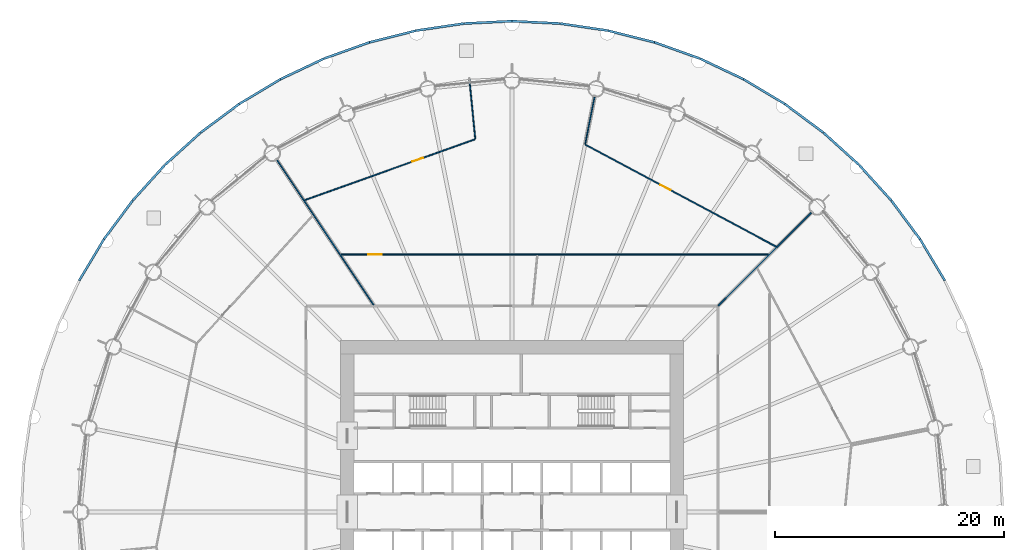
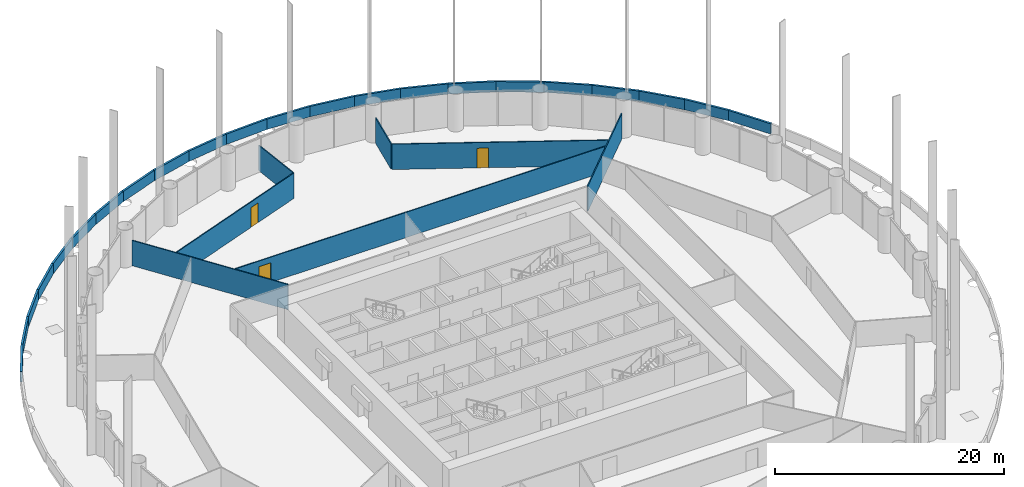
# One storey, part 14 of 17: 29 walls, 3 doors, 3 openings.
"""IFC4 building model written with IfcOpenShell, lengths in metres."""

from ifc_helpers import new_model, si_unit, direction, frame, frame_2d, origin, place, context, subcontext, project, spatial, rectangle, extrude, material, layer, layer_set, type_object, element, fill, save


model = new_model("IFC4")

# Units and contexts
model_context = context("Model", 3, precision=1e-05, world=origin(), true_north=direction((0.0, 1.0)))
body_context = subcontext(model_context, "Body", "Model", "MODEL_VIEW")
ifc_project = project(units=[si_unit("LENGTHUNIT", "METRE"), si_unit("AREAUNIT", "SQUARE_METRE"), si_unit("VOLUMEUNIT", "CUBIC_METRE"), si_unit("PLANEANGLEUNIT", "RADIAN"), si_unit("MASSUNIT", "GRAM", prefix="KILO")], contexts=[model_context])

# Site, building, storey
site_placement = place(None, origin())
site = spatial("IfcSite", under=ifc_project, at=site_placement, CompositionType="ELEMENT")
building_placement = place(site_placement, origin())
building = spatial("IfcBuilding", under=site, at=building_placement, Name="Corvane Civic Tower", CompositionType="ELEMENT")
storey_placement = place(building_placement, frame((0.0, 0.0, 37.0)))
storey = spatial("IfcBuildingStorey", under=building, at=storey_placement, Name="L07", CompositionType="ELEMENT", Elevation=37.0)

# Walls
ifc_material_1 = material(Name="Limestone cladding", Category="masonry")
ifc_layer_1 = layer(ifc_material_1, 0.199951171875)
ifc_layer_set_1 = layer_set([ifc_layer_1], Name="Limestone cladding")
wall_type_1 = type_object("IfcWallType", Name="PODIUM-W-PARAPET-200", PredefinedType="PARAPET", material=ifc_layer_set_1)
wall_1_placement = place(storey_placement, frame((-0.005126953125, 42.899658203125, 0.0), z_axis=(0.0, 0.0, 1.0), x_axis=(-0.998795734049, -0.049062018364, 0.0)))
element("IfcWall", 1, at=wall_1_placement, inside=storey, type_object=wall_type_1, Name="Drum roof parapet 01", PredefinedType="PARAPET", context=body_context, shape_type="SweptSolid", body=[
    extrude(rectangle(XDim=4.199951171875, YDim=0.199951171875, at=frame_2d((2.10009765625, 0.0))), origin(), (0.0, 0.0, 1.0), 1.10009765625),
])
wall_2_placement = place(storey_placement, frame((-4.210205078125, 42.692626953125, 0.0), z_axis=(0.0, 0.0, 1.0), x_axis=(-0.989177228519, -0.146725630276, 0.0)))
element("IfcWall", 2, at=wall_2_placement, inside=storey, type_object=wall_type_1, Name="Drum roof parapet 02", PredefinedType="PARAPET", context=body_context, shape_type="SweptSolid", body=[
    extrude(rectangle(XDim=4.19970703125, YDim=0.199951171875, at=frame_2d((2.099853515625, 0.0))), origin(), (0.0, 0.0, 1.0), 1.10009765625),
])
wall_3_placement = place(storey_placement, frame((-8.374267578125, 42.074462890625, 0.0), z_axis=(0.0, 0.0, 1.0), x_axis=(-0.970029552898, -0.242986967766, 0.0)))
element("IfcWall", 3, at=wall_3_placement, inside=storey, type_object=wall_type_1, Name="Drum roof parapet 03", PredefinedType="PARAPET", context=body_context, shape_type="SweptSolid", body=[
    extrude(rectangle(XDim=4.199951171875, YDim=0.199951171875, at=frame_2d((2.10009765625, 0.0))), origin(), (0.0, 0.0, 1.0), 1.10009765625),
])
wall_4_placement = place(storey_placement, frame((-12.4580078125, 41.05078125, 0.0), z_axis=(0.0, 0.0, 1.0), x_axis=(-0.94154446095, -0.336888747296, 0.0)))
element("IfcWall", 4, at=wall_4_placement, inside=storey, type_object=wall_type_1, Name="Drum roof parapet 04", PredefinedType="PARAPET", context=body_context, shape_type="SweptSolid", body=[
    extrude(rectangle(XDim=4.19970703125, YDim=0.199951171875, at=frame_2d((2.099853515625, 0.0))), origin(), (0.0, 0.0, 1.0), 1.10009765625),
])
wall_5_placement = place(storey_placement, frame((-16.421630859375, 39.632080078125, 0.0), z_axis=(0.0, 0.0, 1.0), x_axis=(-0.903990983369, -0.427551519689, 0.0)))
element("IfcWall", 5, at=wall_5_placement, inside=storey, type_object=wall_type_1, Name="Drum roof parapet 05", PredefinedType="PARAPET", context=body_context, shape_type="SweptSolid", body=[
    extrude(rectangle(XDim=4.199951171875, YDim=0.199951171875, at=frame_2d((2.10009765625, 0.0))), origin(), (0.0, 0.0, 1.0), 1.10009765625),
])
wall_6_placement = place(storey_placement, frame((-20.227294921875, 37.831787109375, 0.0), z_axis=(0.0, 0.0, 1.0), x_axis=(-0.857708288113, -0.514136647694, 0.0)))
element("IfcWall", 6, at=wall_6_placement, inside=storey, type_object=wall_type_1, Name="Drum roof parapet 06", PredefinedType="PARAPET", context=body_context, shape_type="SweptSolid", body=[
    extrude(rectangle(XDim=4.19970703125, YDim=0.199951171875, at=frame_2d((2.099853515625, 0.0))), origin(), (0.0, 0.0, 1.0), 1.10009765625),
])
for number, where, z_axis, x_axis, name in (
    (7, (-23.837890625, 35.6669921875, 0.0), (0.0, 0.0, 1.0), (-0.803190442318, -0.59572234587, 0.0), "Drum roof parapet 07"),
    (8, (-27.218994140625, 33.15869140625, 0.0), (0.0, 0.0, 1.0), (-0.740957123113, -0.671552337281, 0.0), "Drum roof parapet 08"),
    (9, (-30.338134765625, 30.3310546875, 0.0), (0.0, 0.0, 1.0), (-0.671552337281, -0.740957123113, 0.0), "Drum roof parapet 09"),
    (10, (-33.1650390625, 27.211181640625, 0.0), (0.0, 0.0, 1.0), (-0.59572234587, -0.803190442318, 0.0), "Drum roof parapet 10"),
):
    element("IfcWall", number, at=place(storey_placement, frame(where, z_axis=z_axis, x_axis=x_axis)), inside=storey, type_object=wall_type_1, Name=name, PredefinedType="PARAPET", context=body_context, shape_type="SweptSolid", body=[
        extrude(rectangle(XDim=4.199951171875, YDim=0.199951171875, at=frame_2d((2.10009765625, 0.0))), origin(), (0.0, 0.0, 1.0), 1.10009765625),
    ])
for number, where, z_axis, x_axis, name in (
    (11, (-35.672607421875, 23.829345703125, 0.0), (0.0, 0.0, 1.0), (-0.514136647694, -0.857708288113, 0.0), "Drum roof parapet 11"),
    (12, (37.831787109375, 20.227294921875, 0.0), (0.0, 0.0, 1.0), (-0.514136647694, 0.857708288113, 0.0), "Drum roof parapet 54"),
):
    element("IfcWall", number, at=place(storey_placement, frame(where, z_axis=z_axis, x_axis=x_axis)), inside=storey, type_object=wall_type_1, Name=name, PredefinedType="PARAPET", context=body_context, shape_type="SweptSolid", body=[
        extrude(rectangle(XDim=4.19970703125, YDim=0.199951171875, at=frame_2d((2.099853515625, 0.0))), origin(), (0.0, 0.0, 1.0), 1.10009765625),
    ])
for number, where, z_axis, x_axis, name in (
    (13, (35.6669921875, 23.837890625, 0.0), (0.0, 0.0, 1.0), (-0.59572234587, 0.803190442318, 0.0), "Drum roof parapet 55"),
    (14, (33.15869140625, 27.218994140625, 0.0), (0.0, 0.0, 1.0), (-0.671552337281, 0.740957123113, 0.0), "Drum roof parapet 56"),
    (15, (30.3310546875, 30.338134765625, 0.0), (0.0, 0.0, 1.0), (-0.740957123113, 0.671552337281, 0.0), "Drum roof parapet 57"),
    (16, (27.211181640625, 33.1650390625, 0.0), (0.0, 0.0, 1.0), (-0.803190442318, 0.59572234587, 0.0), "Drum roof parapet 58"),
):
    element("IfcWall", number, at=place(storey_placement, frame(where, z_axis=z_axis, x_axis=x_axis)), inside=storey, type_object=wall_type_1, Name=name, PredefinedType="PARAPET", context=body_context, shape_type="SweptSolid", body=[
        extrude(rectangle(XDim=4.199951171875, YDim=0.199951171875, at=frame_2d((2.10009765625, 0.0))), origin(), (0.0, 0.0, 1.0), 1.10009765625),
    ])
wall_7_placement = place(storey_placement, frame((23.829345703125, 35.672607421875, 0.0), z_axis=(0.0, 0.0, 1.0), x_axis=(-0.857708288113, 0.514136647694, 0.0)))
element("IfcWall", 17, at=wall_7_placement, inside=storey, type_object=wall_type_1, Name="Drum roof parapet 59", PredefinedType="PARAPET", context=body_context, shape_type="SweptSolid", body=[
    extrude(rectangle(XDim=4.19970703125, YDim=0.199951171875, at=frame_2d((2.099853515625, 0.0))), origin(), (0.0, 0.0, 1.0), 1.10009765625),
])
wall_8_placement = place(storey_placement, frame((20.21826171875, 37.83642578125, 0.0), z_axis=(0.0, 0.0, 1.0), x_axis=(-0.903990983369, 0.427551519689, 0.0)))
element("IfcWall", 18, at=wall_8_placement, inside=storey, type_object=wall_type_1, Name="Drum roof parapet 60", PredefinedType="PARAPET", context=body_context, shape_type="SweptSolid", body=[
    extrude(rectangle(XDim=4.199951171875, YDim=0.199951171875, at=frame_2d((2.10009765625, 0.0))), origin(), (0.0, 0.0, 1.0), 1.10009765625),
])
wall_9_placement = place(storey_placement, frame((16.412109375, 39.635986328125, 0.0), z_axis=(0.0, 0.0, 1.0), x_axis=(-0.94154446095, 0.336888747296, 0.0)))
element("IfcWall", 19, at=wall_9_placement, inside=storey, type_object=wall_type_1, Name="Drum roof parapet 61", PredefinedType="PARAPET", context=body_context, shape_type="SweptSolid", body=[
    extrude(rectangle(XDim=4.19970703125, YDim=0.199951171875, at=frame_2d((2.099853515625, 0.0))), origin(), (0.0, 0.0, 1.0), 1.10009765625),
])
wall_10_placement = place(storey_placement, frame((12.4482421875, 41.053955078125, 0.0), z_axis=(0.0, 0.0, 1.0), x_axis=(-0.970029552898, 0.242986967766, 0.0)))
element("IfcWall", 20, at=wall_10_placement, inside=storey, type_object=wall_type_1, Name="Drum roof parapet 62", PredefinedType="PARAPET", context=body_context, shape_type="SweptSolid", body=[
    extrude(rectangle(XDim=4.199951171875, YDim=0.199951171875, at=frame_2d((2.10009765625, 0.0))), origin(), (0.0, 0.0, 1.0), 1.10009765625),
])
wall_11_placement = place(storey_placement, frame((8.364501953125, 42.076416015625, 0.0), z_axis=(0.0, 0.0, 1.0), x_axis=(-0.989177228519, 0.146725630276, 0.0)))
element("IfcWall", 21, at=wall_11_placement, inside=storey, type_object=wall_type_1, Name="Drum roof parapet 63", PredefinedType="PARAPET", context=body_context, shape_type="SweptSolid", body=[
    extrude(rectangle(XDim=4.19970703125, YDim=0.199951171875, at=frame_2d((2.099853515625, 0.0))), origin(), (0.0, 0.0, 1.0), 1.10009765625),
])
wall_12_placement = place(storey_placement, frame((4.199951171875, 42.693603515625, 0.0), z_axis=(0.0, 0.0, 1.0), x_axis=(-0.998795734049, 0.049062018364, 0.0)))
element("IfcWall", 22, at=wall_12_placement, inside=storey, type_object=wall_type_1, Name="Drum roof parapet 64", PredefinedType="PARAPET", context=body_context, shape_type="SweptSolid", body=[
    extrude(rectangle(XDim=4.199951171875, YDim=0.199951171875, at=frame_2d((2.10009765625, 0.0))), origin(), (0.0, 0.0, 1.0), 1.10009765625),
])
ifc_material_2 = material(Name="Plasterboard")
ifc_layer_2 = layer(ifc_material_2, 0.10009765625)
ifc_layer_set_2 = layer_set([ifc_layer_2], Name="Plasterboard")
wall_type_2 = type_object("IfcWallType", Name="Partition 100 plasterboard on studs", PredefinedType="PARTITIONING", material=ifc_layer_set_2)
wall_13_placement = place(storey_placement, frame((18.0146484375, 18.0146484375, 0.0), z_axis=(0.0, 0.0, 1.0), x_axis=(0.707106781187, 0.707106781187, 0.0)))
element("IfcWall", 23, at=wall_13_placement, inside=storey, type_object=wall_type_2, Name="Partition L07.030", PredefinedType="PARTITIONING", context=body_context, shape_type="SweptSolid", body=[
    extrude(rectangle(XDim=11.513671875, YDim=0.10009765625, at=frame_2d((5.7568359375, 0.0))), origin(), (0.0, 0.0, 1.0), 2.699951171875),
])
wall_14_placement = place(storey_placement, frame((-20.550537109375, 30.756103515625, 0.0), z_axis=(0.0, 0.0, 1.0), x_axis=(0.555566213074, -0.83147229833, 0.0)))
element("IfcWall", 24, at=wall_14_placement, inside=storey, type_object=wall_type_2, Name="Partition L07.032", PredefinedType="PARTITIONING", context=body_context, shape_type="SweptSolid", body=[
    extrude(rectangle(XDim=15.218017578125, YDim=0.10009765625, at=frame_2d((7.60888671875, 0.0))), origin(), (0.0, 0.0, 1.0), 2.699951171875),
])

# Wall, opening, door
wall_15_placement = place(storey_placement, frame((-14.9404296875, 22.5, 0.0), z_axis=(0.0, 0.0, 1.0), x_axis=(1.0, 0.0, 0.0)))
wall_15 = element("IfcWall", 25, at=wall_15_placement, inside=storey, type_object=wall_type_2, Name="Partition L07.033", PredefinedType="PARTITIONING", context=body_context, shape_type="SweptSolid", body=[
    extrude(rectangle(XDim=37.31982421875, YDim=0.10009765625, at=frame_2d((18.659912109375, 0.0))), origin(), (0.0, 0.0, 1.0), 2.699951171875),
])
opening_1_placement = place(wall_15_placement, frame((2.369384765625, 0.0, 0.0)))
opening_1 = element("IfcOpeningElement", 26, at=opening_1_placement, cuts=wall_15, Name="Opening L07.022", PredefinedType="OPENING", context=body_context, shape_type="SweptSolid", body=[
    extrude(rectangle(XDim=1.199951171875, YDim=2.10009765625, at=frame_2d((0.60009765625, 1.050048828125))), frame((0.0, 0.06005859375, 0.0), z_axis=(0.0, -1.0, 0.0), x_axis=(1.0, 0.0, 0.0)), (0.0, 0.0, 1.0), 0.1201171875),
])
ifc_material_3 = material(Name="Timber", Category="wood")
door_type_1 = type_object("IfcDoorType", Name="Double door 1200", OperationType="NOTDEFINED", PredefinedType="DOOR", material=ifc_material_3)
door_1_placement = place(opening_1_placement, origin())
door_1 = element("IfcDoor", 27, at=door_1_placement, inside=storey, type_object=door_type_1, Name="Door L07.022", OperationType="DOUBLE_DOOR_SINGLE_SWING", OverallHeight=2.10009765625, OverallWidth=1.199951171875, PredefinedType="DOOR", context=body_context, shape_type="SweptSolid", body=[
    extrude(rectangle(XDim=1.199951171875, YDim=2.10009765625, at=frame_2d((0.60009765625, 1.050048828125))), frame((0.0, 0.02490234375, 0.0), z_axis=(0.0, -1.0, 0.0), x_axis=(1.0, 0.0, 0.0)), (0.0, 0.0, 1.0), 0.050048828125),
])
fill(opening_1, door_1)

wall_16_placement = place(storey_placement, frame((6.420654296875, 32.097412109375, 0.0), z_axis=(0.0, 0.0, 1.0), x_axis=(0.881920746375, -0.471397705885, 0.0)))
wall_16 = element("IfcWall", 28, at=wall_16_placement, inside=storey, type_object=wall_type_2, Name="Partition L07.034", PredefinedType="PARTITIONING", context=body_context, shape_type="SweptSolid", body=[
    extrude(rectangle(XDim=18.90576171875, YDim=0.10009765625, at=frame_2d((9.452880859375, 0.0))), origin(), (0.0, 0.0, 1.0), 2.699951171875),
])
opening_2_placement = place(wall_16_placement, frame((7.41845703125, 0.0, 0.0)))
opening_2 = element("IfcOpeningElement", 29, at=opening_2_placement, cuts=wall_16, Name="Opening L07.021", PredefinedType="OPENING", context=body_context, shape_type="SweptSolid", body=[
    extrude(rectangle(XDim=1.0, YDim=2.10009765625, at=frame_2d((0.5, 1.050048828125))), frame((0.0, 0.06005859375, 0.0), z_axis=(0.0, -1.0, 0.0), x_axis=(1.0, 0.0, 0.0)), (0.0, 0.0, 1.0), 0.1201171875),
])
ifc_material_4 = material(Name="Timber", Category="wood")
door_type_2 = type_object("IfcDoorType", Name="Single door 1000", OperationType="NOTDEFINED", PredefinedType="DOOR", material=ifc_material_4)
door_2_placement = place(opening_2_placement, origin())
door_2 = element("IfcDoor", 30, at=door_2_placement, inside=storey, type_object=door_type_2, Name="Door L07.021", OperationType="SINGLE_SWING_LEFT", OverallHeight=2.10009765625, OverallWidth=1.0, PredefinedType="DOOR", context=body_context, shape_type="SweptSolid", body=[
    extrude(rectangle(XDim=1.0, YDim=2.10009765625, at=frame_2d((0.5, 1.050048828125))), frame((0.0, 0.02490234375, 0.0), z_axis=(0.0, -1.0, 0.0), x_axis=(1.0, 0.0, 0.0)), (0.0, 0.0, 1.0), 0.050048828125),
])
fill(opening_2, door_2)

wall_17_placement = place(storey_placement, frame((-18.131103515625, 27.2470703125, 0.0), z_axis=(0.0, 0.0, 1.0), x_axis=(0.941544344507, 0.336889072732, 0.0)))
wall_17 = element("IfcWall", 31, at=wall_17_placement, inside=storey, type_object=wall_type_2, Name="Partition L07.035", PredefinedType="PARTITIONING", context=body_context, shape_type="SweptSolid", body=[
    extrude(rectangle(XDim=15.80908203125, YDim=0.10009765625, at=frame_2d((7.904541015625, 0.0))), origin(), (0.0, 0.0, 1.0), 2.699951171875),
])
opening_3_placement = place(wall_17_placement, frame((9.996826171875, 0.0, 0.0)))
opening_3 = element("IfcOpeningElement", 32, at=opening_3_placement, cuts=wall_17, Name="Opening L07.020", PredefinedType="OPENING", context=body_context, shape_type="SweptSolid", body=[
    extrude(rectangle(XDim=1.0, YDim=2.10009765625, at=frame_2d((0.5, 1.050048828125))), frame((0.0, 0.06005859375, 0.0), z_axis=(0.0, -1.0, 0.0), x_axis=(1.0, 0.0, 0.0)), (0.0, 0.0, 1.0), 0.1201171875),
])
door_3_placement = place(opening_3_placement, origin())
door_3 = element("IfcDoor", 33, at=door_3_placement, inside=storey, type_object=door_type_2, Name="Door L07.020", OperationType="SINGLE_SWING_LEFT", OverallHeight=2.10009765625, OverallWidth=1.0, PredefinedType="DOOR", context=body_context, shape_type="SweptSolid", body=[
    extrude(rectangle(XDim=1.0, YDim=2.10009765625, at=frame_2d((0.5, 1.050048828125))), frame((0.0, 0.02490234375, 0.0), z_axis=(0.0, -1.0, 0.0), x_axis=(1.0, 0.0, 0.0)), (0.0, 0.0, 1.0), 0.050048828125),
])
fill(opening_3, door_3)

# Walls
wall_18_placement = place(storey_placement, frame((6.395263671875, 32.151123046875, 0.0), z_axis=(0.0, 0.0, 1.0), x_axis=(0.195067488974, 0.980789821901, 0.0)))
element("IfcWall", 34, at=wall_18_placement, inside=storey, type_object=wall_type_2, Name="Partition L07.036", PredefinedType="PARTITIONING", context=body_context, shape_type="SweptSolid", body=[
    extrude(rectangle(XDim=4.208984375, YDim=0.10009765625, at=frame_2d((2.1044921875, 0.0))), origin(), (0.0, 0.0, 1.0), 2.699951171875),
])
wall_19_placement = place(storey_placement, frame((-3.7197265625, 37.767333984375, 0.0), z_axis=(0.0, 0.0, 1.0), x_axis=(0.097992600074, -0.995187143371, 0.0)))
element("IfcWall", 35, at=wall_19_placement, inside=storey, type_object=wall_type_2, Name="Partition L07.037", PredefinedType="PARTITIONING", context=body_context, shape_type="SweptSolid", body=[
    extrude(rectangle(XDim=5.167236328125, YDim=0.10009765625, at=frame_2d((2.58349609375, 0.0))), origin(), (0.0, 0.0, 1.0), 2.699951171875),
])

save(model, "model.ifc")
